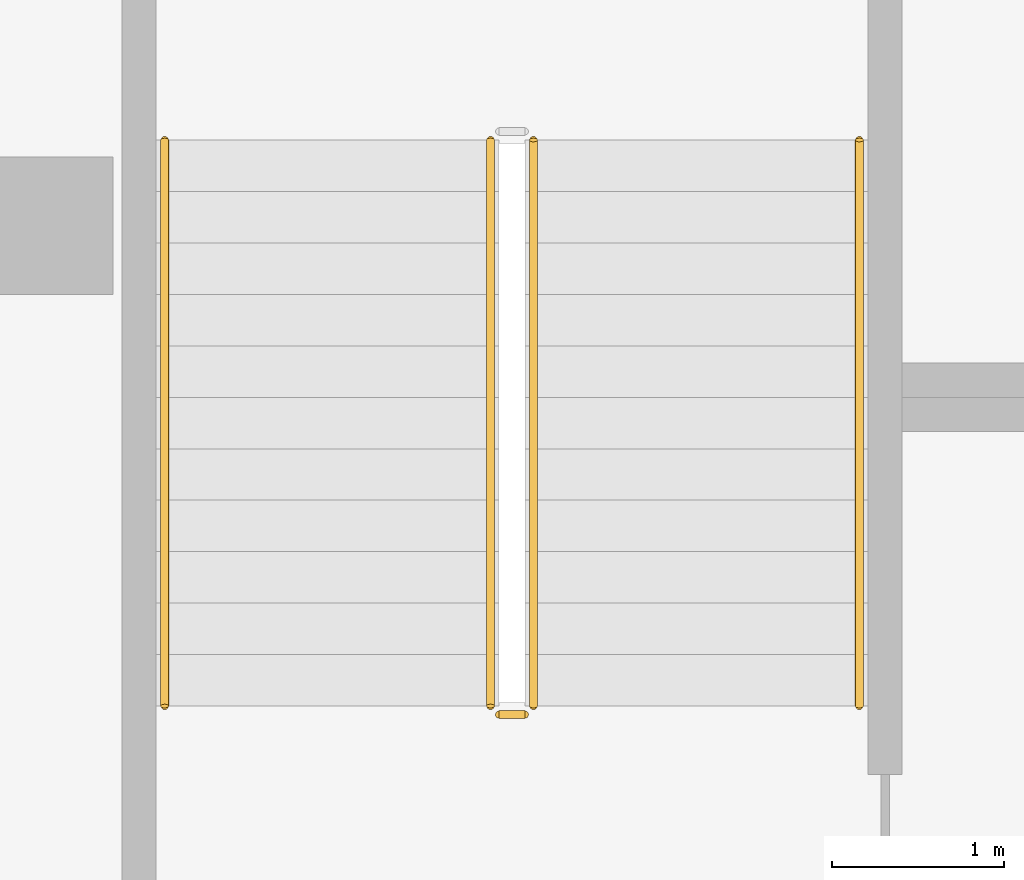
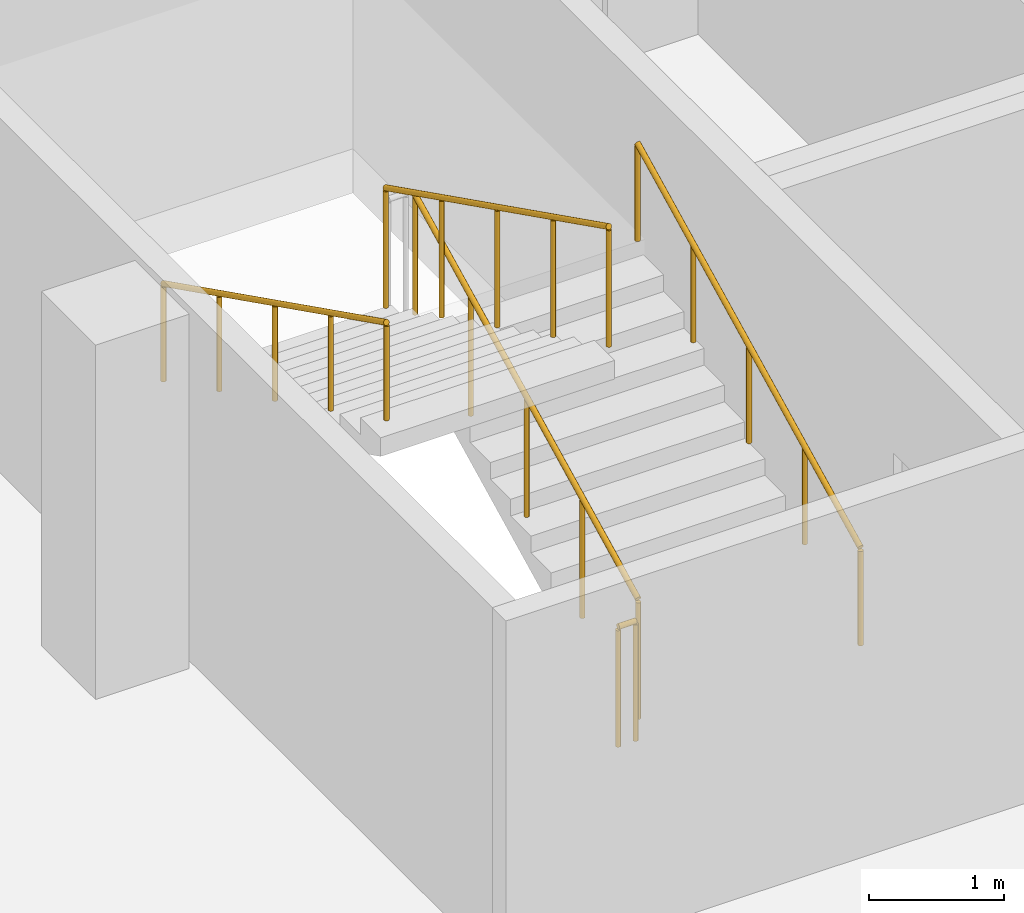
# One storey, part 26 of 37: 5 railings.
"""IFC4 building model written with IfcOpenShell, lengths in metres."""

from ifc_helpers import new_model, si_unit, direction, frame, origin, origin_2d, place, context, subcontext, project, spatial, circle, extrude, material, type_object, element, save


model = new_model("IFC4")

# Units and contexts
model_context = context("Model", 3, precision=1e-05, world=origin(), true_north=direction((0.0, 1.0)))
body_context = subcontext(model_context, "Body", "Model", "MODEL_VIEW")
ifc_project = project(units=[si_unit("LENGTHUNIT", "METRE"), si_unit("AREAUNIT", "SQUARE_METRE"), si_unit("VOLUMEUNIT", "CUBIC_METRE"), si_unit("PLANEANGLEUNIT", "RADIAN"), si_unit("MASSUNIT", "GRAM", prefix="KILO")], contexts=[model_context])

# Site, building, storey
site_placement = place(None, origin())
site = spatial("IfcSite", under=ifc_project, at=site_placement, CompositionType="ELEMENT")
building_placement = place(site_placement, origin())
building = spatial("IfcBuilding", under=site, at=building_placement, Name="Tamra Quay Hotel Tower", CompositionType="ELEMENT")
storey_placement = place(building_placement, frame((0.0, 0.0, -7.199951171875)))
storey = spatial("IfcBuildingStorey", under=building, at=storey_placement, Name="B2", CompositionType="ELEMENT", Elevation=-7.199951171875)

# Railings
ifc_material_1 = material(Name="Basement stair guard 1100")
railing_type_1 = type_object("IfcRailingType", Name="Basement stair guard 1100", PredefinedType="GUARDRAIL", material=ifc_material_1)
railing_1_placement = place(storey_placement, frame((-61.050048828125, 45.199951171875, 0.14990234375)))
element("IfcRailing", 1, at=railing_1_placement, inside=storey, type_object=railing_type_1, Name="BSG", PredefinedType="GUARDRAIL", context=body_context, shape_type="SweptSolid", body=[
    extrude(circle(Radius=0.02392578125, at=origin_2d()), frame((0.0, 0.0, 1.076171875), z_axis=(0.0, 0.894413956696, 0.447240063129), x_axis=(-1.0, 0.0, 0.0)), (0.0, 0.0, 1.0), 3.689697265625),
    extrude(circle(Radius=0.02099609375, at=origin_2d()), origin(), (0.0, 0.0, 1.0), 1.052001953125),
    extrude(circle(Radius=0.02099609375, at=origin_2d()), frame((0.0, 0.824951171875, 0.41259765625)), (0.0, 0.0, 1.0), 1.052001953125),
    extrude(circle(Radius=0.02099609375, at=origin_2d()), frame((0.0, 1.64990234375, 0.8251953125)), (0.0, 0.0, 1.0), 1.052001953125),
    extrude(circle(Radius=0.02099609375, at=origin_2d()), frame((0.0, 2.47509765625, 1.237548828125)), (0.0, 0.0, 1.0), 1.052001953125),
    extrude(circle(Radius=0.02099609375, at=origin_2d()), frame((0.0, 3.300048828125, 1.650146484375)), (0.0, 0.0, 1.0), 1.052001953125),
])
railing_2_placement = place(storey_placement, frame((-61.300048828125, 48.5, 1.949951171875)))
element("IfcRailing", 2, at=railing_2_placement, inside=storey, type_object=railing_type_1, Name="BSG", PredefinedType="GUARDRAIL", context=body_context, shape_type="SweptSolid", body=[
    extrude(circle(Radius=0.02392578125, at=origin_2d()), frame((0.0, 0.0, 1.076171875), z_axis=(0.0, -0.894440424912, 0.447187126696), x_axis=(1.0, 0.0, 0.0)), (0.0, 0.0, 1.0), 3.689453125),
    extrude(circle(Radius=0.02099609375, at=origin_2d()), origin(), (0.0, 0.0, 1.0), 1.052001953125),
    extrude(circle(Radius=0.02099609375, at=origin_2d()), frame((0.0, -0.824951171875, 0.41259765625)), (0.0, 0.0, 1.0), 1.052001953125),
    extrude(circle(Radius=0.02099609375, at=origin_2d()), frame((0.0, -1.64990234375, 0.824951171875)), (0.0, 0.0, 1.0), 1.052001953125),
    extrude(circle(Radius=0.02099609375, at=origin_2d()), frame((0.0, -2.47509765625, 1.2373046875)), (0.0, 0.0, 1.0), 1.052001953125),
    extrude(circle(Radius=0.02099609375, at=origin_2d()), frame((0.0, -3.300048828125, 1.64990234375)), (0.0, 0.0, 1.0), 1.052001953125),
])
railing_3_placement = place(storey_placement, frame((-61.10009765625, 45.14990234375, 0.0)))
element("IfcRailing", 3, at=railing_3_placement, inside=storey, type_object=railing_type_1, Name="BSG", PredefinedType="GUARDRAIL", context=body_context, shape_type="SweptSolid", body=[
    extrude(circle(Radius=0.02392578125, at=origin_2d()), frame((0.0, 0.0, 1.076171875), z_axis=(-1.0, 0.0, 0.0), x_axis=(0.0, -1.0, 0.0)), (0.0, 0.0, 1.0), 0.14990234375),
    extrude(circle(Radius=0.02099609375, at=origin_2d()), origin(), (0.0, 0.0, 1.0), 1.052001953125),
    extrude(circle(Radius=0.02099609375, at=origin_2d()), frame((-0.14990234375, 0.0, 0.0)), (0.0, 0.0, 1.0), 1.052001953125),
])
ifc_material_2 = material(Name="Basement stair handrail 900")
railing_type_2 = type_object("IfcRailingType", Name="Basement stair handrail 900", PredefinedType="HANDRAIL", material=ifc_material_2)
railing_4_placement = place(storey_placement, frame((-59.14990234375, 45.199951171875, 0.14990234375)))
element("IfcRailing", 4, at=railing_4_placement, inside=storey, type_object=railing_type_2, Name="BSH", PredefinedType="HANDRAIL", context=body_context, shape_type="SweptSolid", body=[
    extrude(circle(Radius=0.02392578125, at=origin_2d()), frame((0.0, 0.0, 0.8759765625), z_axis=(0.0, 0.894413956696, 0.447240063129), x_axis=(-1.0, 0.0, 0.0)), (0.0, 0.0, 1.0), 3.689697265625),
    extrude(circle(Radius=0.02099609375, at=origin_2d()), origin(), (0.0, 0.0, 1.0), 0.851806640625),
    extrude(circle(Radius=0.02099609375, at=origin_2d()), frame((0.0, 0.824951171875, 0.41259765625)), (0.0, 0.0, 1.0), 0.851806640625),
    extrude(circle(Radius=0.02099609375, at=origin_2d()), frame((0.0, 1.64990234375, 0.8251953125)), (0.0, 0.0, 1.0), 0.851806640625),
    extrude(circle(Radius=0.02099609375, at=origin_2d()), frame((0.0, 2.47509765625, 1.237548828125)), (0.0, 0.0, 1.0), 0.851806640625),
    extrude(circle(Radius=0.02099609375, at=origin_2d()), frame((0.0, 3.300048828125, 1.650146484375)), (0.0, 0.0, 1.0), 0.851806640625),
])
railing_5_placement = place(storey_placement, frame((-63.199951171875, 48.5, 1.949951171875)))
element("IfcRailing", 5, at=railing_5_placement, inside=storey, type_object=railing_type_2, Name="BSH", PredefinedType="HANDRAIL", context=body_context, shape_type="SweptSolid", body=[
    extrude(circle(Radius=0.02392578125, at=origin_2d()), frame((0.0, 0.0, 0.8759765625), z_axis=(0.0, -0.894440424912, 0.447187126696), x_axis=(1.0, 0.0, 0.0)), (0.0, 0.0, 1.0), 3.689453125),
    extrude(circle(Radius=0.02099609375, at=origin_2d()), origin(), (0.0, 0.0, 1.0), 0.851806640625),
    extrude(circle(Radius=0.02099609375, at=origin_2d()), frame((0.0, -0.824951171875, 0.41259765625)), (0.0, 0.0, 1.0), 0.851806640625),
    extrude(circle(Radius=0.02099609375, at=origin_2d()), frame((0.0, -1.64990234375, 0.824951171875)), (0.0, 0.0, 1.0), 0.851806640625),
    extrude(circle(Radius=0.02099609375, at=origin_2d()), frame((0.0, -2.47509765625, 1.2373046875)), (0.0, 0.0, 1.0), 0.851806640625),
    extrude(circle(Radius=0.02099609375, at=origin_2d()), frame((0.0, -3.300048828125, 1.64990234375)), (0.0, 0.0, 1.0), 0.851806640625),
])

save(model, "model.ifc")
